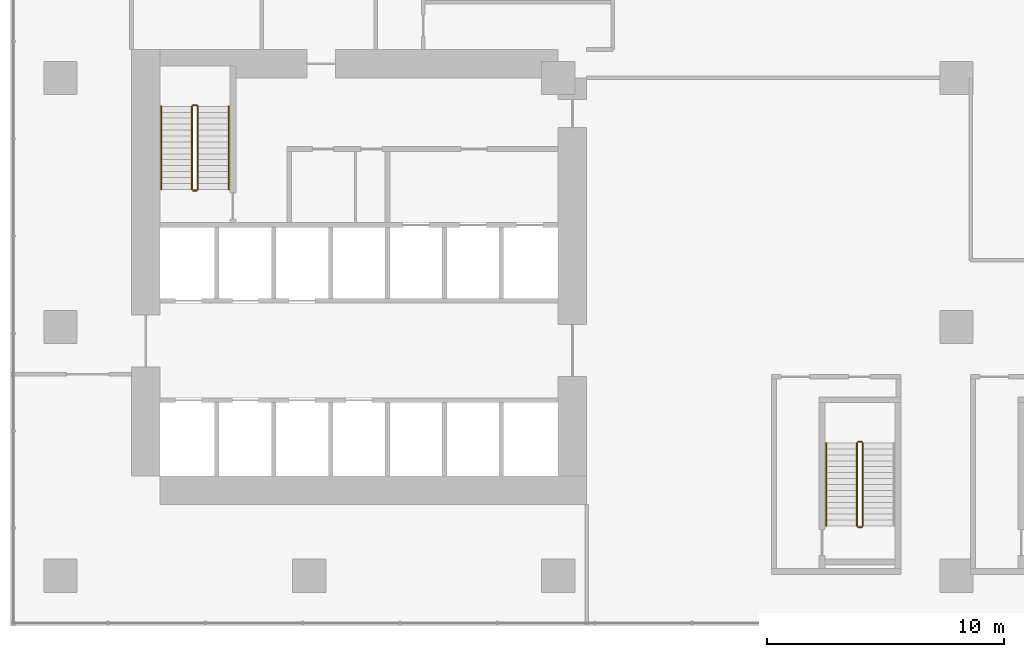
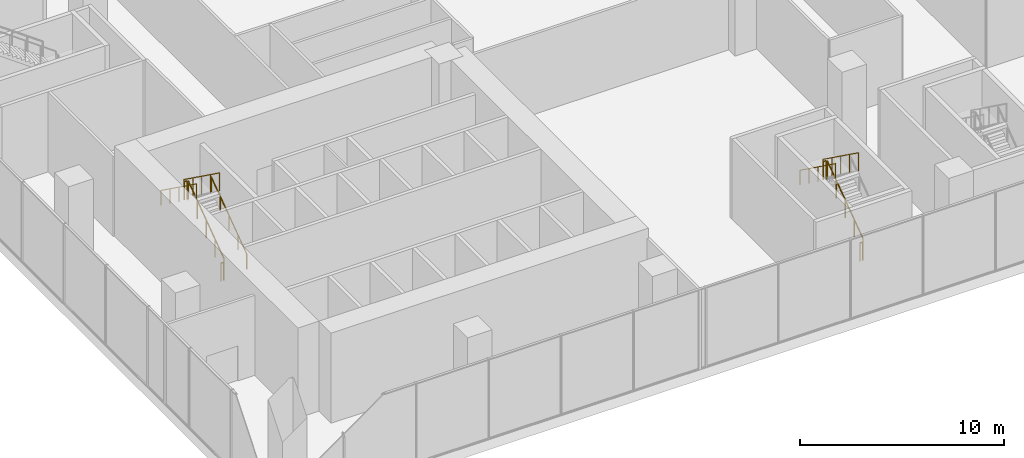
# One storey, part 19 of 23: 11 railings.
"""IFC4 building model written with IfcOpenShell, lengths in metres."""

from ifc_helpers import new_model, si_unit, direction, frame, origin, origin_2d, place, context, subcontext, project, spatial, circle, extrude, source, transform, mapped, material, type_object, element, save


model = new_model("IFC4")

# Units and contexts
model_context = context("Model", 3, precision=1e-05, world=origin(), true_north=direction((0.0, 1.0)))
body_context = subcontext(model_context, "Body", "Model", "MODEL_VIEW")
ifc_project = project(units=[si_unit("LENGTHUNIT", "METRE"), si_unit("AREAUNIT", "SQUARE_METRE"), si_unit("VOLUMEUNIT", "CUBIC_METRE"), si_unit("PLANEANGLEUNIT", "RADIAN"), si_unit("MASSUNIT", "GRAM", prefix="KILO")], contexts=[model_context])

# Site, building, storey
site_placement = place(None, origin())
site = spatial("IfcSite", under=ifc_project, at=site_placement, CompositionType="ELEMENT")
building_placement = place(site_placement, origin())
building = spatial("IfcBuilding", under=site, at=building_placement, Name="Aurelian Terraces", CompositionType="ELEMENT")
storey_placement = place(building_placement, frame((0.0, 0.0, 18.3)))
storey = spatial("IfcBuildingStorey", under=building, at=storey_placement, Name="L03", CompositionType="ELEMENT", Elevation=18.3)

# Railings
ifc_material = material(Name="Stainless steel", Category="steel")
railing_type_1 = type_object("IfcRailingType", Name="Stair guard 1100", PredefinedType="GUARDRAIL", material=ifc_material)
shared_shape_1 = source(origin(), body_context, "Body", "SweptSolid", [
    extrude(circle(Radius=0.024, at=origin_2d()), frame((0.0, 0.0, 1.076), z_axis=(-1.0, 0.0, 0.0), x_axis=(0.0, -1.0, 0.0)), (0.0, 0.0, 1.0), 0.15),
    extrude(circle(Radius=0.021, at=origin_2d()), origin(), (0.0, 0.0, 1.0), 1.052),
    extrude(circle(Radius=0.021, at=origin_2d()), frame((-0.15, 0.0, 0.0)), (0.0, 0.0, 1.0), 1.052),
])
for number, where, name in (
    (1, (5.75, 19.85, 2.7), "L03 S1 stair guard 2"),
    (2, (5.75, 16.25, 0.0), "L03 S1 stair guard 4"),
    (3, (33.8, 5.65, 2.7), "L03 S7 stair guard 2"),
    (4, (33.8, 2.05, 0.0), "L03 S7 stair guard 4"),
):
    element("IfcRailing", number, at=place(storey_placement, frame(where)), inside=storey, type_object=railing_type_1, Name=name, PredefinedType="GUARDRAIL", context=body_context, shape_type="MappedRepresentation", body=[
        mapped(shared_shape_1, transform((0.0, 0.0, 0.0), scale=1.0)),
    ])
shared_shape_2 = source(origin(), body_context, "Body", "SweptSolid", [
    extrude(circle(Radius=0.024, at=origin_2d()), frame((0.0, 0.0, 1.076), z_axis=(0.0, 0.811534341451, 0.584304725845), x_axis=(-1.0, 0.0, 0.0)), (0.0, 0.0, 1.0), 4.3128),
    extrude(circle(Radius=0.021, at=origin_2d()), origin(), (0.0, 0.0, 1.0), 1.052),
    extrude(circle(Radius=0.021, at=origin_2d()), frame((0.0, 0.875, 0.63)), (0.0, 0.0, 1.0), 1.052),
    extrude(circle(Radius=0.021, at=origin_2d()), frame((0.0, 1.75, 1.26)), (0.0, 0.0, 1.0), 1.052),
    extrude(circle(Radius=0.021, at=origin_2d()), frame((0.0, 2.625, 1.89)), (0.0, 0.0, 1.0), 1.052),
    extrude(circle(Radius=0.021, at=origin_2d()), frame((0.0, 3.5, 2.52)), (0.0, 0.0, 1.0), 1.052),
])
for number, where, name in (
    (5, (5.8, 16.3, 0.18), "L03 S1 stair guard 1"),
    (6, (33.85, 2.1, 0.18), "L03 S7 stair guard 1"),
):
    element("IfcRailing", number, at=place(storey_placement, frame(where)), inside=storey, type_object=railing_type_1, Name=name, PredefinedType="GUARDRAIL", context=body_context, shape_type="MappedRepresentation", body=[
        mapped(shared_shape_2, transform((0.0, 0.0, 0.0), scale=1.0)),
    ])
shared_shape_3 = source(origin(), body_context, "Body", "SweptSolid", [
    extrude(circle(Radius=0.024, at=origin_2d()), frame((0.0, 0.0, 1.076), z_axis=(0.0, -0.811534341451, 0.584304725845), x_axis=(1.0, 0.0, 0.0)), (0.0, 0.0, 1.0), 4.3128),
    extrude(circle(Radius=0.021, at=origin_2d()), origin(), (0.0, 0.0, 1.0), 1.052),
    extrude(circle(Radius=0.021, at=origin_2d()), frame((0.0, -0.875, 0.63)), (0.0, 0.0, 1.0), 1.052),
    extrude(circle(Radius=0.021, at=origin_2d()), frame((0.0, -1.75, 1.26)), (0.0, 0.0, 1.0), 1.052),
    extrude(circle(Radius=0.021, at=origin_2d()), frame((0.0, -2.625, 1.89)), (0.0, 0.0, 1.0), 1.052),
    extrude(circle(Radius=0.021, at=origin_2d()), frame((0.0, -3.5, 2.52)), (0.0, 0.0, 1.0), 1.052),
])
for number, where, name in (
    (7, (5.55, 19.8, 2.88), "L03 S1 stair guard 3"),
    (8, (33.6, 5.6, 2.88), "L03 S7 stair guard 3"),
):
    element("IfcRailing", number, at=place(storey_placement, frame(where)), inside=storey, type_object=railing_type_1, Name=name, PredefinedType="GUARDRAIL", context=body_context, shape_type="MappedRepresentation", body=[
        mapped(shared_shape_3, transform((0.0, 0.0, 0.0), scale=1.0)),
    ])
railing_type_2 = type_object("IfcRailingType", Name="Stair handrail", PredefinedType="HANDRAIL", material=ifc_material)
shared_shape_4 = source(origin(), body_context, "Body", "SweptSolid", [
    extrude(circle(Radius=0.024, at=origin_2d()), frame((0.0, 0.0, 0.876), z_axis=(0.0, 0.811534341451, 0.584304725845), x_axis=(-1.0, 0.0, 0.0)), (0.0, 0.0, 1.0), 4.3128),
    extrude(circle(Radius=0.021, at=origin_2d()), origin(), (0.0, 0.0, 1.0), 0.852),
    extrude(circle(Radius=0.021, at=origin_2d()), frame((0.0, 0.875, 0.63)), (0.0, 0.0, 1.0), 0.852),
    extrude(circle(Radius=0.021, at=origin_2d()), frame((0.0, 1.75, 1.26)), (0.0, 0.0, 1.0), 0.852),
    extrude(circle(Radius=0.021, at=origin_2d()), frame((0.0, 2.625, 1.89)), (0.0, 0.0, 1.0), 0.852),
    extrude(circle(Radius=0.021, at=origin_2d()), frame((0.0, 3.5, 2.52)), (0.0, 0.0, 1.0), 0.852),
])
railing_placement = place(storey_placement, frame((7.1, 16.3, 0.18)))
element("IfcRailing", 9, at=railing_placement, inside=storey, type_object=railing_type_2, Name="L03 S1 stair handrail 1", PredefinedType="HANDRAIL", context=body_context, shape_type="MappedRepresentation", body=[
    mapped(shared_shape_4, transform((0.0, 0.0, 0.0), scale=1.0)),
])
shared_shape_5 = source(origin(), body_context, "Body", "SweptSolid", [
    extrude(circle(Radius=0.024, at=origin_2d()), frame((0.0, 0.0, 0.876), z_axis=(0.0, -0.811534341451, 0.584304725845), x_axis=(1.0, 0.0, 0.0)), (0.0, 0.0, 1.0), 4.3128),
    extrude(circle(Radius=0.021, at=origin_2d()), origin(), (0.0, 0.0, 1.0), 0.852),
    extrude(circle(Radius=0.021, at=origin_2d()), frame((0.0, -0.875, 0.63)), (0.0, 0.0, 1.0), 0.852),
    extrude(circle(Radius=0.021, at=origin_2d()), frame((0.0, -1.75, 1.26)), (0.0, 0.0, 1.0), 0.852),
    extrude(circle(Radius=0.021, at=origin_2d()), frame((0.0, -2.625, 1.89)), (0.0, 0.0, 1.0), 0.852),
    extrude(circle(Radius=0.021, at=origin_2d()), frame((0.0, -3.5, 2.52)), (0.0, 0.0, 1.0), 0.852),
])
for number, where, name in (
    (10, (4.25, 19.8, 2.88), "L03 S1 stair handrail 2"),
    (11, (32.3, 5.6, 2.88), "L03 S7 stair handrail 2"),
):
    element("IfcRailing", number, at=place(storey_placement, frame(where)), inside=storey, type_object=railing_type_2, Name=name, PredefinedType="HANDRAIL", context=body_context, shape_type="MappedRepresentation", body=[
        mapped(shared_shape_5, transform((0.0, 0.0, 0.0), scale=1.0)),
    ])

save(model, "model.ifc")
